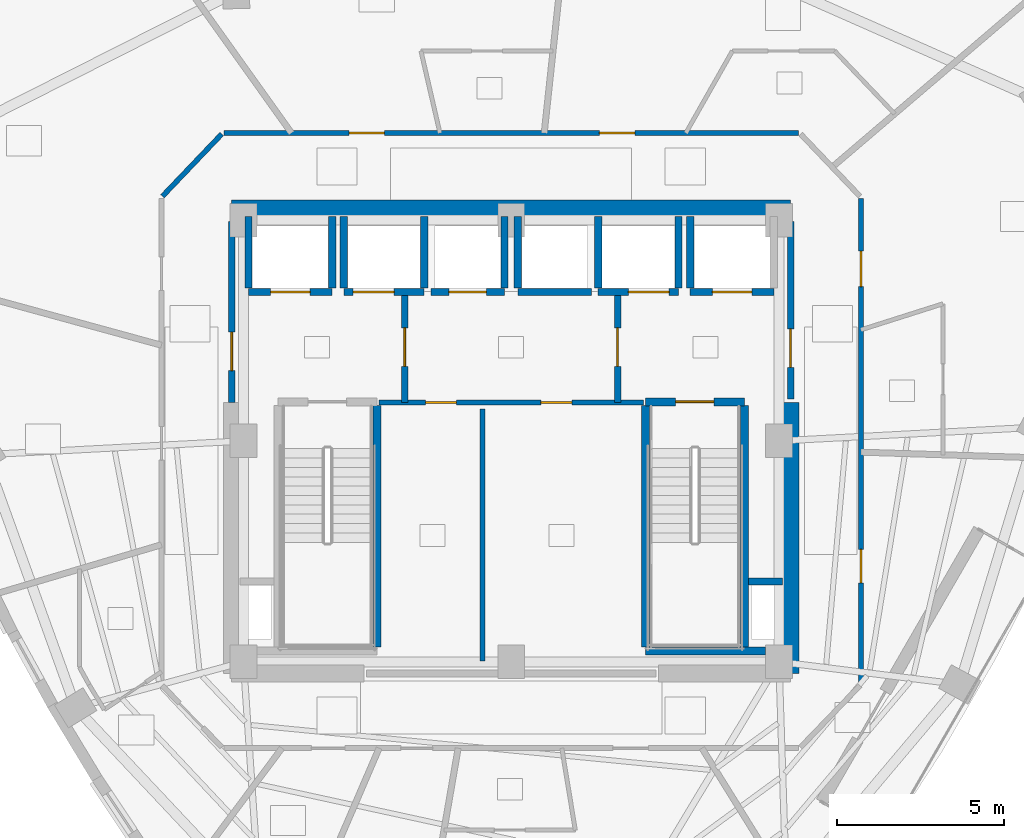
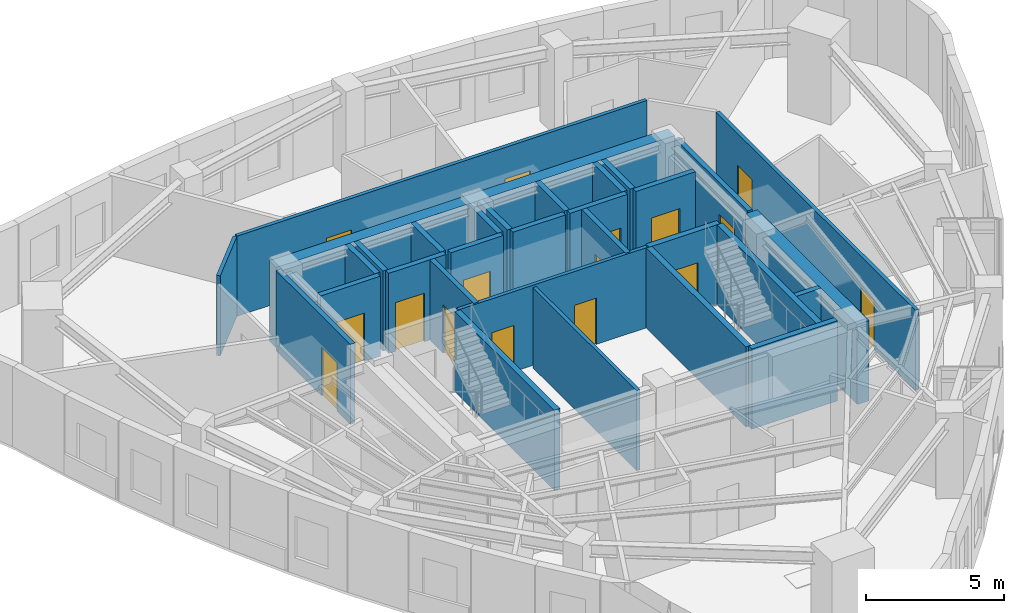
# One storey, part 7 of 12: 32 walls, 16 doors, 16 openings.
"""IFC4 building model written with IfcOpenShell, lengths in metres."""

from ifc_helpers import new_model, si_unit, direction, frame, frame_2d, origin, place, context, subcontext, project, spatial, rectangle, extrude, material, layer, layer_set, type_object, element, fill, save


model = new_model("IFC4")

# Units and contexts
model_context = context("Model", 3, precision=1e-05, world=origin(), true_north=direction((0.0, 1.0)))
body_context = subcontext(model_context, "Body", "Model", "MODEL_VIEW")
ifc_project = project(units=[si_unit("LENGTHUNIT", "METRE"), si_unit("AREAUNIT", "SQUARE_METRE"), si_unit("VOLUMEUNIT", "CUBIC_METRE"), si_unit("PLANEANGLEUNIT", "RADIAN"), si_unit("MASSUNIT", "GRAM", prefix="KILO")], contexts=[model_context])

# Site, building, storey
site_placement = place(None, origin())
site = spatial("IfcSite", under=ifc_project, at=site_placement, CompositionType="ELEMENT")
building_placement = place(site_placement, origin())
building = spatial("IfcBuilding", under=site, at=building_placement, Name="Ndelora Gate Hotel", CompositionType="ELEMENT")
storey_placement = place(building_placement, frame((0.0, 0.0, 209.35009765625)))
storey = spatial("IfcBuildingStorey", under=building, at=storey_placement, Name="L52", CompositionType="ELEMENT", Elevation=209.35009765625)

# Walls
ifc_material_1 = material(Name="Concrete C50/60", Category="concrete")
ifc_layer_1 = layer(ifc_material_1, 0.5)
ifc_layer_set_1 = layer_set([ifc_layer_1], Name="Concrete C50/60")
wall_type_1 = type_object("IfcWallType", Name="WL-CORE-500", PredefinedType="SHEAR", material=ifc_layer_set_1)
wall_1_placement = place(storey_placement, frame((-8.35009765625, 6.949951171875, 0.0), z_axis=(0.0, 0.0, 1.0), x_axis=(1.0, 0.0, 0.0)))
element("IfcWall", 1, at=wall_1_placement, inside=storey, type_object=wall_type_1, Name="L52 Core Shear Wall N", PredefinedType="SHEAR", context=body_context, shape_type="SweptSolid", body=[
    extrude(rectangle(XDim=16.7001953125, YDim=0.5, at=frame_2d((8.35009765625, 0.0))), origin(), (0.0, 0.0, 1.0), 3.5498046875),
])
wall_2_placement = place(storey_placement, frame((8.35009765625, -6.949951171875, 0.0), z_axis=(0.0, 0.0, 1.0), x_axis=(0.0, 1.0, 0.0)))
element("IfcWall", 2, at=wall_2_placement, inside=storey, type_object=wall_type_1, Name="L52 Core Shear Wall E", PredefinedType="SHEAR", context=body_context, shape_type="SweptSolid", body=[
    extrude(rectangle(XDim=8.099853515625, YDim=0.5, at=frame_2d((4.0498046875, 0.0))), origin(), (0.0, 0.0, 1.0), 3.5498046875),
])

# Wall, opening, door
ifc_material_2 = material(Name="Concrete C40/50", Category="concrete")
ifc_layer_2 = layer(ifc_material_2, 0.199951171875)
ifc_layer_set_2 = layer_set([ifc_layer_2], Name="Concrete C40/50")
wall_type_2 = type_object("IfcWallType", Name="WL-FIRE-200", PredefinedType="PARTITIONING", material=ifc_layer_set_2)
wall_3_placement = place(storey_placement, frame((-3.179931640625, 1.14990234375, 0.0), z_axis=(0.0, 0.0, 1.0), x_axis=(0.0, 1.0, 0.0)))
wall_3 = element("IfcWall", 3, at=wall_3_placement, inside=storey, type_object=wall_type_2, Name="L52 Interior Wall IW-2", PredefinedType="PARTITIONING", context=body_context, shape_type="SweptSolid", body=[
    extrude(rectangle(XDim=3.300048828125, YDim=0.199951171875, at=frame_2d((1.64990234375, 0.0))), origin(), (0.0, 0.0, 1.0), 3.5498046875),
])
opening_1_placement = place(wall_3_placement, frame((1.080078125, 0.0, 0.0)))
opening_1 = element("IfcOpeningElement", 4, at=opening_1_placement, cuts=wall_3, Name="Opening FD1", PredefinedType="OPENING", context=body_context, shape_type="SweptSolid", body=[
    extrude(rectangle(XDim=1.14990234375, YDim=2.14990234375, at=frame_2d((0.574951171875, 1.074951171875))), frame((0.0, 0.10986328125, 0.0), z_axis=(0.0, -1.0, 0.0), x_axis=(1.0, 0.0, 0.0)), (0.0, 0.0, 1.0), 0.219970703125),
])
ifc_material_3 = material(Name="Fire-Rated Timber-Veneer Steel Core", Category="steel")
door_type_1 = type_object("IfcDoorType", Name="DR-FD60", OperationType="SINGLE_SWING_LEFT", PredefinedType="DOOR", material=ifc_material_3)
door_1_placement = place(opening_1_placement, origin())
door_1 = element("IfcDoor", 5, at=door_1_placement, inside=storey, type_object=door_type_1, Name="L52 Firefighting Lobby West Door", OperationType="SINGLE_SWING_RIGHT", OverallHeight=2.14990234375, OverallWidth=1.14990234375, PredefinedType="DOOR", context=body_context, shape_type="SweptSolid", body=[
    extrude(rectangle(XDim=1.14990234375, YDim=2.14990234375, at=frame_2d((0.574951171875, 1.074951171875))), frame((0.0, 0.02490234375, 0.0), z_axis=(0.0, -1.0, 0.0), x_axis=(1.0, 0.0, 0.0)), (0.0, 0.0, 1.0), 0.050048828125),
])
fill(opening_1, door_1)

wall_4_placement = place(storey_placement, frame((3.179931640625, 1.14990234375, 0.0), z_axis=(0.0, 0.0, 1.0), x_axis=(0.0, 1.0, 0.0)))
wall_4 = element("IfcWall", 6, at=wall_4_placement, inside=storey, type_object=wall_type_2, Name="L52 Interior Wall IW-2", PredefinedType="PARTITIONING", context=body_context, shape_type="SweptSolid", body=[
    extrude(rectangle(XDim=3.300048828125, YDim=0.199951171875, at=frame_2d((1.64990234375, 0.0))), origin(), (0.0, 0.0, 1.0), 3.5498046875),
])
opening_2_placement = place(wall_4_placement, frame((1.080078125, 0.0, 0.0)))
opening_2 = element("IfcOpeningElement", 7, at=opening_2_placement, cuts=wall_4, Name="Opening FD1", PredefinedType="OPENING", context=body_context, shape_type="SweptSolid", body=[
    extrude(rectangle(XDim=1.14990234375, YDim=2.14990234375, at=frame_2d((0.574951171875, 1.074951171875))), frame((0.0, 0.10986328125, 0.0), z_axis=(0.0, -1.0, 0.0), x_axis=(1.0, 0.0, 0.0)), (0.0, 0.0, 1.0), 0.219970703125),
])
door_2_placement = place(opening_2_placement, origin())
door_2 = element("IfcDoor", 8, at=door_2_placement, inside=storey, type_object=door_type_1, Name="L52 Firefighting Lobby East Door", OperationType="SINGLE_SWING_LEFT", OverallHeight=2.14990234375, OverallWidth=1.14990234375, PredefinedType="DOOR", context=body_context, shape_type="SweptSolid", body=[
    extrude(rectangle(XDim=1.14990234375, YDim=2.14990234375, at=frame_2d((0.574951171875, 1.074951171875))), frame((0.0, 0.02490234375, 0.0), z_axis=(0.0, -1.0, 0.0), x_axis=(1.0, 0.0, 0.0)), (0.0, 0.0, 1.0), 0.050048828125),
])
fill(opening_2, door_2)

wall_5_placement = place(storey_placement, frame((-8.35009765625, 1.14990234375, 0.0), z_axis=(0.0, 0.0, 1.0), x_axis=(0.0, 1.0, 0.0)))
wall_5 = element("IfcWall", 9, at=wall_5_placement, inside=storey, type_object=wall_type_2, Name="L52 Interior Wall IW-2", PredefinedType="PARTITIONING", context=body_context, shape_type="SweptSolid", body=[
    extrude(rectangle(XDim=5.400146484375, YDim=0.199951171875, at=frame_2d((2.7001953125, 0.0))), origin(), (0.0, 0.0, 1.0), 3.5498046875),
])
opening_3_placement = place(wall_5_placement, frame((0.949951171875, 0.0, 0.0)))
opening_3 = element("IfcOpeningElement", 10, at=opening_3_placement, cuts=wall_5, Name="Opening FD1", PredefinedType="OPENING", context=body_context, shape_type="SweptSolid", body=[
    extrude(rectangle(XDim=1.14990234375, YDim=2.14990234375, at=frame_2d((0.574951171875, 1.074951171875))), frame((0.0, 0.10986328125, 0.0), z_axis=(0.0, -1.0, 0.0), x_axis=(1.0, 0.0, 0.0)), (0.0, 0.0, 1.0), 0.219970703125),
])
door_3_placement = place(opening_3_placement, origin())
door_3 = element("IfcDoor", 11, at=door_3_placement, inside=storey, type_object=door_type_1, Name="L52 Firefighting Lobby West Corridor Door", OperationType="SINGLE_SWING_LEFT", OverallHeight=2.14990234375, OverallWidth=1.14990234375, PredefinedType="DOOR", context=body_context, shape_type="SweptSolid", body=[
    extrude(rectangle(XDim=1.14990234375, YDim=2.14990234375, at=frame_2d((0.574951171875, 1.074951171875))), frame((0.0, 0.02490234375, 0.0), z_axis=(0.0, -1.0, 0.0), x_axis=(1.0, 0.0, 0.0)), (0.0, 0.0, 1.0), 0.050048828125),
])
fill(opening_3, door_3)

wall_6_placement = place(storey_placement, frame((8.35009765625, 1.25, 0.0), z_axis=(0.0, 0.0, 1.0), x_axis=(0.0, 1.0, 0.0)))
wall_6 = element("IfcWall", 12, at=wall_6_placement, inside=storey, type_object=wall_type_2, Name="L52 Interior Wall IW-2", PredefinedType="PARTITIONING", context=body_context, shape_type="SweptSolid", body=[
    extrude(rectangle(XDim=5.300048828125, YDim=0.199951171875, at=frame_2d((2.64990234375, 0.0))), origin(), (0.0, 0.0, 1.0), 3.5498046875),
])
opening_4_placement = place(wall_6_placement, frame((0.949951171875, 0.0, 0.0)))
opening_4 = element("IfcOpeningElement", 13, at=opening_4_placement, cuts=wall_6, Name="Opening FD1", PredefinedType="OPENING", context=body_context, shape_type="SweptSolid", body=[
    extrude(rectangle(XDim=1.14990234375, YDim=2.14990234375, at=frame_2d((0.574951171875, 1.074951171875))), frame((0.0, 0.10986328125, 0.0), z_axis=(0.0, -1.0, 0.0), x_axis=(1.0, 0.0, 0.0)), (0.0, 0.0, 1.0), 0.219970703125),
])
door_4_placement = place(opening_4_placement, origin())
door_4 = element("IfcDoor", 14, at=door_4_placement, inside=storey, type_object=door_type_1, Name="L52 Firefighting Lobby East Corridor Door", OperationType="SINGLE_SWING_RIGHT", OverallHeight=2.14990234375, OverallWidth=1.14990234375, PredefinedType="DOOR", context=body_context, shape_type="SweptSolid", body=[
    extrude(rectangle(XDim=1.14990234375, YDim=2.14990234375, at=frame_2d((0.574951171875, 1.074951171875))), frame((0.0, 0.02490234375, 0.0), z_axis=(0.0, -1.0, 0.0), x_axis=(1.0, 0.0, 0.0)), (0.0, 0.0, 1.0), 0.050048828125),
])
fill(opening_4, door_4)

# Wall, openings, doors
ifc_material_4 = material(Name="Fire-Rated Gypsum Stud Partition", Category="gypsum")
ifc_layer_3 = layer(ifc_material_4, 0.14990234375)
ifc_layer_set_3 = layer_set([ifc_layer_3], Name="Fire-Rated Gypsum Stud Partition")
wall_type_3 = type_object("IfcWallType", Name="WL-PART-150", PredefinedType="PARTITIONING", material=ifc_layer_set_3)
wall_7_placement = place(storey_placement, frame((3.949951171875, 1.14990234375, 0.0), z_axis=(0.0, 0.0, 1.0), x_axis=(-1.0, 0.0, 0.0)))
wall_7 = element("IfcWall", 15, at=wall_7_placement, inside=storey, type_object=wall_type_3, Name="L52 Interior Wall IW-5", PredefinedType="PARTITIONING", context=body_context, shape_type="SweptSolid", body=[
    extrude(rectangle(XDim=7.89990234375, YDim=0.14990234375, at=frame_2d((3.949951171875, 0.0))), origin(), (0.0, 0.0, 1.0), 3.5498046875),
])
opening_5_placement = place(wall_7_placement, frame((5.590087890625, 0.0, 0.0)))
opening_5 = element("IfcOpeningElement", 16, at=opening_5_placement, cuts=wall_7, Name="Opening D04", PredefinedType="OPENING", context=body_context, shape_type="SweptSolid", body=[
    extrude(rectangle(XDim=0.919921875, YDim=2.050048828125, at=frame_2d((0.4599609375, 1.02490234375))), frame((0.0, 0.0849609375, 0.0), z_axis=(0.0, -1.0, 0.0), x_axis=(1.0, 0.0, 0.0)), (0.0, 0.0, 1.0), 0.169921875),
])
opening_6_placement = place(wall_7_placement, frame((2.139892578125, 0.0, 0.0)))
opening_6 = element("IfcOpeningElement", 17, at=opening_6_placement, cuts=wall_7, Name="Opening D04", PredefinedType="OPENING", context=body_context, shape_type="SweptSolid", body=[
    extrude(rectangle(XDim=0.919921875, YDim=2.050048828125, at=frame_2d((0.4599609375, 1.02490234375))), frame((0.0, 0.0849609375, 0.0), z_axis=(0.0, -1.0, 0.0), x_axis=(1.0, 0.0, 0.0)), (0.0, 0.0, 1.0), 0.169921875),
])
ifc_material_5 = material(Name="Painted Steel Core Service Door", Category="steel")
door_type_2 = type_object("IfcDoorType", Name="DR-SER-920", OperationType="SINGLE_SWING_LEFT", PredefinedType="DOOR", material=ifc_material_5)
door_5_placement = place(opening_5_placement, origin())
door_5 = element("IfcDoor", 18, at=door_5_placement, inside=storey, type_object=door_type_2, Name="L52 Core Electrical Switchroom Door", OperationType="SINGLE_SWING_LEFT", OverallHeight=2.050048828125, OverallWidth=0.919921875, PredefinedType="DOOR", context=body_context, shape_type="SweptSolid", body=[
    extrude(rectangle(XDim=0.919921875, YDim=2.050048828125, at=frame_2d((0.4599609375, 1.02490234375))), frame((0.0, 0.02490234375, 0.0), z_axis=(0.0, -1.0, 0.0), x_axis=(1.0, 0.0, 0.0)), (0.0, 0.0, 1.0), 0.050048828125),
])
fill(opening_5, door_5)
door_6_placement = place(opening_6_placement, origin())
door_6 = element("IfcDoor", 19, at=door_6_placement, inside=storey, type_object=door_type_2, Name="L52 Central Linen Equipment Store Door", OperationType="SINGLE_SWING_RIGHT", OverallHeight=2.050048828125, OverallWidth=0.919921875, PredefinedType="DOOR", context=body_context, shape_type="SweptSolid", body=[
    extrude(rectangle(XDim=0.919921875, YDim=2.050048828125, at=frame_2d((0.4599609375, 1.02490234375))), frame((0.0, 0.02490234375, 0.0), z_axis=(0.0, -1.0, 0.0), x_axis=(1.0, 0.0, 0.0)), (0.0, 0.0, 1.0), 0.050048828125),
])
fill(opening_6, door_6)

# Wall
wall_8_placement = place(storey_placement, frame((-0.85009765625, -6.580078125, 0.0), z_axis=(0.0, 0.0, 1.0), x_axis=(0.0, 1.0, 0.0)))
element("IfcWall", 20, at=wall_8_placement, inside=storey, type_object=wall_type_3, Name="L52 Interior Wall IW-5", PredefinedType="PARTITIONING", context=body_context, shape_type="SweptSolid", body=[
    extrude(rectangle(XDim=7.530029296875, YDim=0.14990234375, at=frame_2d((3.76513671875, 0.0))), origin(), (0.0, 0.0, 1.0), 3.5498046875),
])

# Wall, openings, doors
wall_9_placement = place(storey_placement, frame((10.449951171875, 7.239990234375, 0.0), z_axis=(0.0, 0.0, 1.0), x_axis=(0.0, -1.0, 0.0)))
wall_9 = element("IfcWall", 21, at=wall_9_placement, inside=storey, type_object=wall_type_3, Name="L52 Interior Wall IW-5", PredefinedType="PARTITIONING", context=body_context, shape_type="SweptSolid", body=[
    extrude(rectangle(XDim=14.47998046875, YDim=0.14990234375, at=frame_2d((7.239990234375, 0.0))), origin(), (0.0, 0.0, 1.0), 3.5498046875),
])
opening_7_placement = place(wall_9_placement, frame((10.4775390625, 0.0, 0.0)))
opening_7 = element("IfcOpeningElement", 22, at=opening_7_placement, cuts=wall_9, Name="Opening D01", PredefinedType="OPENING", context=body_context, shape_type="SweptSolid", body=[
    extrude(rectangle(XDim=1.0, YDim=2.14990234375, at=frame_2d((0.5, 1.074951171875))), frame((0.0, 0.0849609375, 0.0), z_axis=(0.0, -1.0, 0.0), x_axis=(1.0, 0.0, 0.0)), (0.0, 0.0, 1.0), 0.169921875),
])
opening_8_placement = place(wall_9_placement, frame((1.56982421875, 0.0, 0.0)))
opening_8 = element("IfcOpeningElement", 23, at=opening_8_placement, cuts=wall_9, Name="Opening D07", PredefinedType="OPENING", context=body_context, shape_type="SweptSolid", body=[
    extrude(rectangle(XDim=1.06005859375, YDim=2.14990234375, at=frame_2d((0.530029296875, 1.074951171875))), frame((0.0, 0.0849609375, 0.0), z_axis=(0.0, -1.0, 0.0), x_axis=(1.0, 0.0, 0.0)), (0.0, 0.0, 1.0), 0.169921875),
])
ifc_material_6 = material(Name="Acoustic Hardwood Guest Entrance Door", Category="wood")
door_type_3 = type_object("IfcDoorType", Name="DR-COR-1000", OperationType="SINGLE_SWING_LEFT", PredefinedType="DOOR", material=ifc_material_6)
door_7_placement = place(opening_7_placement, origin())
door_7 = element("IfcDoor", 24, at=door_7_placement, inside=storey, type_object=door_type_3, Name="L52 Sky Garden Tea Dining Room Entrance Door", OperationType="SINGLE_SWING_LEFT", OverallHeight=2.14990234375, OverallWidth=1.0, PredefinedType="DOOR", context=body_context, shape_type="SweptSolid", body=[
    extrude(rectangle(XDim=1.0, YDim=2.14990234375, at=frame_2d((0.5, 1.074951171875))), frame((0.0, 0.02490234375, 0.0), z_axis=(0.0, -1.0, 0.0), x_axis=(1.0, 0.0, 0.0)), (0.0, 0.0, 1.0), 0.050048828125),
])
fill(opening_7, door_7)
ifc_material_7 = material(Name="Diplomatic Suite Acoustic Entrance Door", Category="wood")
door_type_4 = type_object("IfcDoorType", Name="DR-SUITE-1060", OperationType="SINGLE_SWING_LEFT", PredefinedType="DOOR", material=ifc_material_7)
door_8_placement = place(opening_8_placement, origin())
door_8 = element("IfcDoor", 25, at=door_8_placement, inside=storey, type_object=door_type_4, Name="L52 Panoramic King Suite 5502 Entrance Door", OperationType="SINGLE_SWING_LEFT", OverallHeight=2.14990234375, OverallWidth=1.06005859375, PredefinedType="DOOR", context=body_context, shape_type="SweptSolid", body=[
    extrude(rectangle(XDim=1.06005859375, YDim=2.14990234375, at=frame_2d((0.530029296875, 1.074951171875))), frame((0.0, 0.02490234375, 0.0), z_axis=(0.0, -1.0, 0.0), x_axis=(1.0, 0.0, 0.0)), (0.0, 0.0, 1.0), 0.050048828125),
])
fill(opening_8, door_8)

wall_10_placement = place(storey_placement, frame((-8.580078125, 9.199951171875, 0.0), z_axis=(0.0, 0.0, 1.0), x_axis=(1.0, 0.0, 0.0)))
wall_10 = element("IfcWall", 26, at=wall_10_placement, inside=storey, type_object=wall_type_3, Name="L52 Interior Wall IW-5", PredefinedType="PARTITIONING", context=body_context, shape_type="SweptSolid", body=[
    extrude(rectangle(XDim=17.16015625, YDim=0.14990234375, at=frame_2d((8.580078125, 0.0))), origin(), (0.0, 0.0, 1.0), 3.5498046875),
])
opening_9_placement = place(wall_10_placement, frame((3.734375, 0.0, 0.0)))
opening_9 = element("IfcOpeningElement", 27, at=opening_9_placement, cuts=wall_10, Name="Opening D07", PredefinedType="OPENING", context=body_context, shape_type="SweptSolid", body=[
    extrude(rectangle(XDim=1.06005859375, YDim=2.14990234375, at=frame_2d((0.530029296875, 1.074951171875))), frame((0.0, 0.0849609375, 0.0), z_axis=(0.0, -1.0, 0.0), x_axis=(1.0, 0.0, 0.0)), (0.0, 0.0, 1.0), 0.169921875),
])
opening_10_placement = place(wall_10_placement, frame((11.21435546875, 0.0, 0.0)))
opening_10 = element("IfcOpeningElement", 28, at=opening_10_placement, cuts=wall_10, Name="Opening D07", PredefinedType="OPENING", context=body_context, shape_type="SweptSolid", body=[
    extrude(rectangle(XDim=1.06005859375, YDim=2.14990234375, at=frame_2d((0.530029296875, 1.074951171875))), frame((0.0, 0.0849609375, 0.0), z_axis=(0.0, -1.0, 0.0), x_axis=(1.0, 0.0, 0.0)), (0.0, 0.0, 1.0), 0.169921875),
])
door_9_placement = place(opening_9_placement, origin())
door_9 = element("IfcDoor", 29, at=door_9_placement, inside=storey, type_object=door_type_4, Name="L52 Panoramic Twin Suite 5504 Entrance Door", OperationType="SINGLE_SWING_RIGHT", OverallHeight=2.14990234375, OverallWidth=1.06005859375, PredefinedType="DOOR", context=body_context, shape_type="SweptSolid", body=[
    extrude(rectangle(XDim=1.06005859375, YDim=2.14990234375, at=frame_2d((0.530029296875, 1.074951171875))), frame((0.0, 0.02490234375, 0.0), z_axis=(0.0, -1.0, 0.0), x_axis=(1.0, 0.0, 0.0)), (0.0, 0.0, 1.0), 0.050048828125),
])
fill(opening_9, door_9)
door_10_placement = place(opening_10_placement, origin())
door_10 = element("IfcDoor", 30, at=door_10_placement, inside=storey, type_object=door_type_4, Name="L52 Royal Ambassador Suite 5503 Entrance Door", OperationType="SINGLE_SWING_RIGHT", OverallHeight=2.14990234375, OverallWidth=1.06005859375, PredefinedType="DOOR", context=body_context, shape_type="SweptSolid", body=[
    extrude(rectangle(XDim=1.06005859375, YDim=2.14990234375, at=frame_2d((0.530029296875, 1.074951171875))), frame((0.0, 0.02490234375, 0.0), z_axis=(0.0, -1.0, 0.0), x_axis=(1.0, 0.0, 0.0)), (0.0, 0.0, 1.0), 0.050048828125),
])
fill(opening_10, door_10)

# Walls
wall_11_placement = place(storey_placement, frame((-10.42236328125, 7.30908203125, 0.0), z_axis=(0.0, 0.0, 1.0), x_axis=(0.689960858356, 0.723846678473, 0.0)))
element("IfcWall", 31, at=wall_11_placement, inside=storey, type_object=wall_type_3, Name="L52 Interior Wall IW-5", PredefinedType="PARTITIONING", context=body_context, shape_type="SweptSolid", body=[
    extrude(rectangle(XDim=2.572021484375, YDim=0.14990234375, at=frame_2d((1.2861328125, 0.0))), origin(), (0.0, 0.0, 1.0), 3.5498046875),
])
ifc_layer_4 = layer(ifc_material_2, 0.219970703125)
ifc_layer_set_4 = layer_set([ifc_layer_4], Name="Concrete C40/50")
wall_type_4 = type_object("IfcWallType", Name="WL-SHAFT-220", PredefinedType="PARTITIONING", material=ifc_layer_set_4)
wall_12_placement = place(storey_placement, frame((7.090087890625, -4.199951171875, 0.0), z_axis=(0.0, 0.0, 1.0), x_axis=(1.0, 0.0, 0.0)))
element("IfcWall", 32, at=wall_12_placement, inside=storey, type_object=wall_type_4, Name="L52 Interior Wall IW-1", PredefinedType="PARTITIONING", context=body_context, shape_type="SweptSolid", body=[
    extrude(rectangle(XDim=1.010009765625, YDim=0.219970703125, at=frame_2d((0.5048828125, 0.0))), origin(), (0.0, 0.0, 1.0), 3.5498046875),
])

# Wall, opening, door
wall_13_placement = place(storey_placement, frame((-7.85009765625, 4.449951171875, 0.0), z_axis=(0.0, 0.0, 1.0), x_axis=(1.0, 0.0, 0.0)))
wall_13 = element("IfcWall", 33, at=wall_13_placement, inside=storey, type_object=wall_type_4, Name="L52 Interior Wall IW-1", PredefinedType="PARTITIONING", context=body_context, shape_type="SweptSolid", body=[
    extrude(rectangle(XDim=2.5, YDim=0.219970703125, at=frame_2d((1.25, 0.0))), origin(), (0.0, 0.0, 1.0), 3.5498046875),
])
opening_11_placement = place(wall_13_placement, frame((0.659912109375, 0.0, 0.0)))
opening_11 = element("IfcOpeningElement", 34, at=opening_11_placement, cuts=wall_13, Name="Opening LD5", PredefinedType="OPENING", context=body_context, shape_type="SweptSolid", body=[
    extrude(rectangle(XDim=1.179931640625, YDim=2.14990234375, at=frame_2d((0.58984375, 1.074951171875))), frame((0.0, 0.1201171875, 0.0), z_axis=(0.0, -1.0, 0.0), x_axis=(1.0, 0.0, 0.0)), (0.0, 0.0, 1.0), 0.239990234375),
])
ifc_material_8 = material(Name="Firefighting Lift Stainless Sliding Landing Door", Category="metal")
door_type_5 = type_object("IfcDoorType", Name="DR-LD5", OperationType="DOUBLE_DOOR_SLIDING", PredefinedType="DOOR", material=ifc_material_8)
door_11_placement = place(opening_11_placement, origin())
door_11 = element("IfcDoor", 35, at=door_11_placement, inside=storey, type_object=door_type_5, Name="L52 Lift Landing Sliding Door FFL1", OperationType="DOUBLE_DOOR_SLIDING", OverallHeight=2.14990234375, OverallWidth=1.179931640625, PredefinedType="DOOR", context=body_context, shape_type="SweptSolid", body=[
    extrude(rectangle(XDim=1.179931640625, YDim=2.14990234375, at=frame_2d((0.58984375, 1.074951171875))), frame((0.0, 0.02490234375, 0.0), z_axis=(0.0, -1.0, 0.0), x_axis=(1.0, 0.0, 0.0)), (0.0, 0.0, 1.0), 0.050048828125),
])
fill(opening_11, door_11)

# Walls
wall_14_placement = place(storey_placement, frame((-7.85009765625, 4.570068359375, 0.0), z_axis=(0.0, 0.0, 1.0), x_axis=(0.0, 1.0, 0.0)))
element("IfcWall", 36, at=wall_14_placement, inside=storey, type_object=wall_type_4, Name="L52 Interior Wall IW-1", PredefinedType="PARTITIONING", context=body_context, shape_type="SweptSolid", body=[
    extrude(rectangle(XDim=2.1298828125, YDim=0.219970703125, at=frame_2d((1.06494140625, 0.0))), origin(), (0.0, 0.0, 1.0), 3.179931640625),
])
wall_15_placement = place(storey_placement, frame((-5.35009765625, 4.570068359375, 0.0), z_axis=(0.0, 0.0, 1.0), x_axis=(0.0, 1.0, 0.0)))
element("IfcWall", 37, at=wall_15_placement, inside=storey, type_object=wall_type_4, Name="L52 Interior Wall IW-1", PredefinedType="PARTITIONING", context=body_context, shape_type="SweptSolid", body=[
    extrude(rectangle(XDim=2.1298828125, YDim=0.219970703125, at=frame_2d((1.06494140625, 0.0))), origin(), (0.0, 0.0, 1.0), 3.5498046875),
])

# Wall, opening, door
wall_16_placement = place(storey_placement, frame((5.35009765625, 4.449951171875, 0.0), z_axis=(0.0, 0.0, 1.0), x_axis=(1.0, 0.0, 0.0)))
wall_16 = element("IfcWall", 38, at=wall_16_placement, inside=storey, type_object=wall_type_4, Name="L52 Interior Wall IW-1", PredefinedType="PARTITIONING", context=body_context, shape_type="SweptSolid", body=[
    extrude(rectangle(XDim=2.5, YDim=0.219970703125, at=frame_2d((1.25, 0.0))), origin(), (0.0, 0.0, 1.0), 3.5498046875),
])
opening_12_placement = place(wall_16_placement, frame((0.659912109375, 0.0, 0.0)))
opening_12 = element("IfcOpeningElement", 39, at=opening_12_placement, cuts=wall_16, Name="Opening LD5", PredefinedType="OPENING", context=body_context, shape_type="SweptSolid", body=[
    extrude(rectangle(XDim=1.179931640625, YDim=2.14990234375, at=frame_2d((0.58984375, 1.074951171875))), frame((0.0, 0.1201171875, 0.0), z_axis=(0.0, -1.0, 0.0), x_axis=(1.0, 0.0, 0.0)), (0.0, 0.0, 1.0), 0.239990234375),
])
door_12_placement = place(opening_12_placement, origin())
door_12 = element("IfcDoor", 40, at=door_12_placement, inside=storey, type_object=door_type_5, Name="L52 Lift Landing Sliding Door FFL2", OperationType="DOUBLE_DOOR_SLIDING", OverallHeight=2.14990234375, OverallWidth=1.179931640625, PredefinedType="DOOR", context=body_context, shape_type="SweptSolid", body=[
    extrude(rectangle(XDim=1.179931640625, YDim=2.14990234375, at=frame_2d((0.58984375, 1.074951171875))), frame((0.0, 0.02490234375, 0.0), z_axis=(0.0, -1.0, 0.0), x_axis=(1.0, 0.0, 0.0)), (0.0, 0.0, 1.0), 0.050048828125),
])
fill(opening_12, door_12)

# Wall
wall_17_placement = place(storey_placement, frame((5.35009765625, 4.570068359375, 0.0), z_axis=(0.0, 0.0, 1.0), x_axis=(0.0, 1.0, 0.0)))
element("IfcWall", 41, at=wall_17_placement, inside=storey, type_object=wall_type_4, Name="L52 Interior Wall IW-1", PredefinedType="PARTITIONING", context=body_context, shape_type="SweptSolid", body=[
    extrude(rectangle(XDim=2.1298828125, YDim=0.219970703125, at=frame_2d((1.06494140625, 0.0))), origin(), (0.0, 0.0, 1.0), 3.5498046875),
])

# Wall, opening, door
wall_18_placement = place(storey_placement, frame((-5.0, 4.449951171875, 0.0), z_axis=(0.0, 0.0, 1.0), x_axis=(1.0, 0.0, 0.0)))
wall_18 = element("IfcWall", 42, at=wall_18_placement, inside=storey, type_object=wall_type_4, Name="L52 Interior Wall IW-1", PredefinedType="PARTITIONING", context=body_context, shape_type="SweptSolid", body=[
    extrude(rectangle(XDim=2.39990234375, YDim=0.219970703125, at=frame_2d((1.199951171875, 0.0))), origin(), (0.0, 0.0, 1.0), 3.5498046875),
])
opening_13_placement = place(wall_18_placement, frame((0.280029296875, 0.0, 0.0)))
opening_13 = element("IfcOpeningElement", 43, at=opening_13_placement, cuts=wall_18, Name="Opening LD6", PredefinedType="OPENING", context=body_context, shape_type="SweptSolid", body=[
    extrude(rectangle(XDim=1.219970703125, YDim=2.14990234375, at=frame_2d((0.60986328125, 1.074951171875))), frame((0.0, 0.1201171875, 0.0), z_axis=(0.0, -1.0, 0.0), x_axis=(1.0, 0.0, 0.0)), (0.0, 0.0, 1.0), 0.239990234375),
])
ifc_material_9 = material(Name="Heavy-Duty Service Lift Sliding Landing Door", Category="wood")
door_type_6 = type_object("IfcDoorType", Name="DR-LD6", OperationType="DOUBLE_DOOR_SLIDING", PredefinedType="DOOR", material=ifc_material_9)
door_13_placement = place(opening_13_placement, origin())
door_13 = element("IfcDoor", 44, at=door_13_placement, inside=storey, type_object=door_type_6, Name="L52 Lift Landing Sliding Door SVL1", OperationType="DOUBLE_DOOR_SLIDING", OverallHeight=2.14990234375, OverallWidth=1.219970703125, PredefinedType="DOOR", context=body_context, shape_type="SweptSolid", body=[
    extrude(rectangle(XDim=1.219970703125, YDim=2.14990234375, at=frame_2d((0.60986328125, 1.074951171875))), frame((0.0, 0.02490234375, 0.0), z_axis=(0.0, -1.0, 0.0), x_axis=(1.0, 0.0, 0.0)), (0.0, 0.0, 1.0), 0.050048828125),
])
fill(opening_13, door_13)

# Walls
for number, where, z_axis, x_axis, name in (
    (45, (-5.0, 4.570068359375, 0.0), (0.0, 0.0, 1.0), (0.0, 1.0, 0.0), "L52 Interior Wall IW-1"),
    (46, (-2.60009765625, 4.570068359375, 0.0), (0.0, 0.0, 1.0), (0.0, 1.0, 0.0), "L52 Interior Wall IW-1"),
):
    element("IfcWall", number, at=place(storey_placement, frame(where, z_axis=z_axis, x_axis=x_axis)), inside=storey, type_object=wall_type_4, Name=name, PredefinedType="PARTITIONING", context=body_context, shape_type="SweptSolid", body=[
        extrude(rectangle(XDim=2.1298828125, YDim=0.219970703125, at=frame_2d((1.06494140625, 0.0))), origin(), (0.0, 0.0, 1.0), 3.5498046875),
    ])

# Wall, opening, door
wall_19_placement = place(storey_placement, frame((2.60009765625, 4.449951171875, 0.0), z_axis=(0.0, 0.0, 1.0), x_axis=(1.0, 0.0, 0.0)))
wall_19 = element("IfcWall", 47, at=wall_19_placement, inside=storey, type_object=wall_type_4, Name="L52 Interior Wall IW-1", PredefinedType="PARTITIONING", context=body_context, shape_type="SweptSolid", body=[
    extrude(rectangle(XDim=2.39990234375, YDim=0.219970703125, at=frame_2d((1.199951171875, 0.0))), origin(), (0.0, 0.0, 1.0), 3.5498046875),
])
opening_14_placement = place(wall_19_placement, frame((0.89990234375, 0.0, 0.0)))
opening_14 = element("IfcOpeningElement", 48, at=opening_14_placement, cuts=wall_19, Name="Opening LD6", PredefinedType="OPENING", context=body_context, shape_type="SweptSolid", body=[
    extrude(rectangle(XDim=1.219970703125, YDim=2.14990234375, at=frame_2d((0.60986328125, 1.074951171875))), frame((0.0, 0.1201171875, 0.0), z_axis=(0.0, -1.0, 0.0), x_axis=(1.0, 0.0, 0.0)), (0.0, 0.0, 1.0), 0.239990234375),
])
door_14_placement = place(opening_14_placement, origin())
door_14 = element("IfcDoor", 49, at=door_14_placement, inside=storey, type_object=door_type_6, Name="L52 Lift Landing Sliding Door SVL2", OperationType="DOUBLE_DOOR_SLIDING", OverallHeight=2.14990234375, OverallWidth=1.219970703125, PredefinedType="DOOR", context=body_context, shape_type="SweptSolid", body=[
    extrude(rectangle(XDim=1.219970703125, YDim=2.14990234375, at=frame_2d((0.60986328125, 1.074951171875))), frame((0.0, 0.02490234375, 0.0), z_axis=(0.0, -1.0, 0.0), x_axis=(1.0, 0.0, 0.0)), (0.0, 0.0, 1.0), 0.050048828125),
])
fill(opening_14, door_14)

# Walls
for number, where, z_axis, x_axis, name in (
    (50, (2.60009765625, 4.570068359375, 0.0), (0.0, 0.0, 1.0), (0.0, 1.0, 0.0), "L52 Interior Wall IW-1"),
    (51, (5.0, 4.570068359375, 0.0), (0.0, 0.0, 1.0), (0.0, 1.0, 0.0), "L52 Interior Wall IW-1"),
):
    element("IfcWall", number, at=place(storey_placement, frame(where, z_axis=z_axis, x_axis=x_axis)), inside=storey, type_object=wall_type_4, Name=name, PredefinedType="PARTITIONING", context=body_context, shape_type="SweptSolid", body=[
        extrude(rectangle(XDim=2.1298828125, YDim=0.219970703125, at=frame_2d((1.06494140625, 0.0))), origin(), (0.0, 0.0, 1.0), 3.5498046875),
    ])

# Wall, opening, door
wall_20_placement = place(storey_placement, frame((-2.39990234375, 4.449951171875, 0.0), z_axis=(0.0, 0.0, 1.0), x_axis=(1.0, 0.0, 0.0)))
wall_20 = element("IfcWall", 52, at=wall_20_placement, inside=storey, type_object=wall_type_4, Name="L52 Interior Wall IW-1", PredefinedType="PARTITIONING", context=body_context, shape_type="SweptSolid", body=[
    extrude(rectangle(XDim=2.199951171875, YDim=0.219970703125, at=frame_2d((1.10009765625, 0.0))), origin(), (0.0, 0.0, 1.0), 3.5498046875),
])
opening_15_placement = place(wall_20_placement, frame((0.5400390625, 0.0, 0.0)))
opening_15 = element("IfcOpeningElement", 53, at=opening_15_placement, cuts=wall_20, Name="Opening LD3", PredefinedType="OPENING", context=body_context, shape_type="SweptSolid", body=[
    extrude(rectangle(XDim=1.1201171875, YDim=2.14990234375, at=frame_2d((0.56005859375, 1.074951171875))), frame((0.0, 0.1201171875, 0.0), z_axis=(0.0, -1.0, 0.0), x_axis=(1.0, 0.0, 0.0)), (0.0, 0.0, 1.0), 0.239990234375),
])
ifc_material_10 = material(Name="Brushed Bronze Stainless Lift Landing Door", Category="metal")
door_type_7 = type_object("IfcDoorType", Name="DR-LD3", OperationType="DOUBLE_DOOR_SLIDING", PredefinedType="DOOR", material=ifc_material_10)
door_15_placement = place(opening_15_placement, origin())
door_15 = element("IfcDoor", 54, at=door_15_placement, inside=storey, type_object=door_type_7, Name="L52 Lift Landing Sliding Door P3A", OperationType="DOUBLE_DOOR_SLIDING", OverallHeight=2.14990234375, OverallWidth=1.1201171875, PredefinedType="DOOR", context=body_context, shape_type="SweptSolid", body=[
    extrude(rectangle(XDim=1.1201171875, YDim=2.14990234375, at=frame_2d((0.56005859375, 1.074951171875))), frame((0.0, 0.02490234375, 0.0), z_axis=(0.0, -1.0, 0.0), x_axis=(1.0, 0.0, 0.0)), (0.0, 0.0, 1.0), 0.050048828125),
])
fill(opening_15, door_15)

# Walls
wall_21_placement = place(storey_placement, frame((-0.199951171875, 4.570068359375, 0.0), z_axis=(0.0, 0.0, 1.0), x_axis=(0.0, 1.0, 0.0)))
element("IfcWall", 55, at=wall_21_placement, inside=storey, type_object=wall_type_4, Name="L52 Interior Wall IW-1", PredefinedType="PARTITIONING", context=body_context, shape_type="SweptSolid", body=[
    extrude(rectangle(XDim=2.1298828125, YDim=0.219970703125, at=frame_2d((1.06494140625, 0.0))), origin(), (0.0, 0.0, 1.0), 3.5498046875),
])
wall_22_placement = place(storey_placement, frame((0.199951171875, 4.449951171875, 0.0), z_axis=(0.0, 0.0, 1.0), x_axis=(1.0, 0.0, 0.0)))
element("IfcWall", 56, at=wall_22_placement, inside=storey, type_object=wall_type_4, Name="L52 Interior Wall IW-1", PredefinedType="PARTITIONING", context=body_context, shape_type="SweptSolid", body=[
    extrude(rectangle(XDim=2.199951171875, YDim=0.219970703125, at=frame_2d((1.10009765625, 0.0))), origin(), (0.0, 0.0, 1.0), 3.5498046875),
])
wall_23_placement = place(storey_placement, frame((0.199951171875, 4.570068359375, 0.0), z_axis=(0.0, 0.0, 1.0), x_axis=(0.0, 1.0, 0.0)))
element("IfcWall", 57, at=wall_23_placement, inside=storey, type_object=wall_type_4, Name="L52 Interior Wall IW-1", PredefinedType="PARTITIONING", context=body_context, shape_type="SweptSolid", body=[
    extrude(rectangle(XDim=2.1298828125, YDim=0.219970703125, at=frame_2d((1.06494140625, 0.0))), origin(), (0.0, 0.0, 1.0), 3.5498046875),
])
ifc_layer_5 = layer(ifc_material_1, 0.239990234375)
ifc_layer_set_5 = layer_set([ifc_layer_5], Name="Concrete C50/60")
wall_type_5 = type_object("IfcWallType", Name="WL-STAIR-240", PredefinedType="SHEAR", material=ifc_layer_set_5)
for number, where, z_axis, x_axis, name in (
    (58, (-4.010009765625, -6.159912109375, 0.0), (0.0, 0.0, 1.0), (0.0, 1.0, 0.0), "L52 Stair Core Shear Wall SW-ST"),
    (59, (4.010009765625, -6.159912109375, 0.0), (0.0, 0.0, 1.0), (0.0, 1.0, 0.0), "L52 Stair Core Shear Wall SW-ST"),
    (60, (6.969970703125, -6.159912109375, 0.0), (0.0, 0.0, 1.0), (0.0, 1.0, 0.0), "L52 Stair Core Shear Wall SW-ST"),
):
    element("IfcWall", number, at=place(storey_placement, frame(where, z_axis=z_axis, x_axis=x_axis)), inside=storey, type_object=wall_type_5, Name=name, PredefinedType="SHEAR", context=body_context, shape_type="SweptSolid", body=[
        extrude(rectangle(XDim=7.219970703125, YDim=0.239990234375, at=frame_2d((3.60986328125, 0.0))), origin(), (0.0, 0.0, 1.0), 3.5498046875),
    ])
wall_24_placement = place(storey_placement, frame((4.010009765625, -6.27001953125, 0.0), z_axis=(0.0, 0.0, 1.0), x_axis=(1.0, 0.0, 0.0)))
element("IfcWall", 61, at=wall_24_placement, inside=storey, type_object=wall_type_5, Name="L52 Stair Core Shear Wall SW-ST", PredefinedType="SHEAR", context=body_context, shape_type="SweptSolid", body=[
    extrude(rectangle(XDim=3.590087890625, YDim=0.239990234375, at=frame_2d((1.794921875, 0.0))), origin(), (0.0, 0.0, 1.0), 3.5498046875),
])

# Wall, opening, door
wall_25_placement = place(storey_placement, frame((4.010009765625, 1.169921875, 0.0), z_axis=(0.0, 0.0, 1.0), x_axis=(1.0, 0.0, 0.0)))
wall_25 = element("IfcWall", 62, at=wall_25_placement, inside=storey, type_object=wall_type_5, Name="L52 Stair Core Shear Wall SW-ST", PredefinedType="SHEAR", context=body_context, shape_type="SweptSolid", body=[
    extrude(rectangle(XDim=2.9599609375, YDim=0.239990234375, at=frame_2d((1.47998046875, 0.0))), origin(), (0.0, 0.0, 1.0), 3.5498046875),
])
opening_16_placement = place(wall_25_placement, frame((0.89990234375, 0.0, 0.0)))
opening_16 = element("IfcOpeningElement", 63, at=opening_16_placement, cuts=wall_25, Name="Opening FD1", PredefinedType="OPENING", context=body_context, shape_type="SweptSolid", body=[
    extrude(rectangle(XDim=1.14990234375, YDim=2.14990234375, at=frame_2d((0.574951171875, 1.074951171875))), frame((0.0, 0.1298828125, 0.0), z_axis=(0.0, -1.0, 0.0), x_axis=(1.0, 0.0, 0.0)), (0.0, 0.0, 1.0), 0.260009765625),
])
door_16_placement = place(opening_16_placement, origin())
door_16 = element("IfcDoor", 64, at=door_16_placement, inside=storey, type_object=door_type_1, Name="L52 Exit Stair ST5 Door", OperationType="SINGLE_SWING_RIGHT", OverallHeight=2.14990234375, OverallWidth=1.14990234375, PredefinedType="DOOR", context=body_context, shape_type="SweptSolid", body=[
    extrude(rectangle(XDim=1.14990234375, YDim=2.14990234375, at=frame_2d((0.574951171875, 1.074951171875))), frame((0.0, 0.02490234375, 0.0), z_axis=(0.0, -1.0, 0.0), x_axis=(1.0, 0.0, 0.0)), (0.0, 0.0, 1.0), 0.050048828125),
])
fill(opening_16, door_16)

save(model, "model.ifc")
